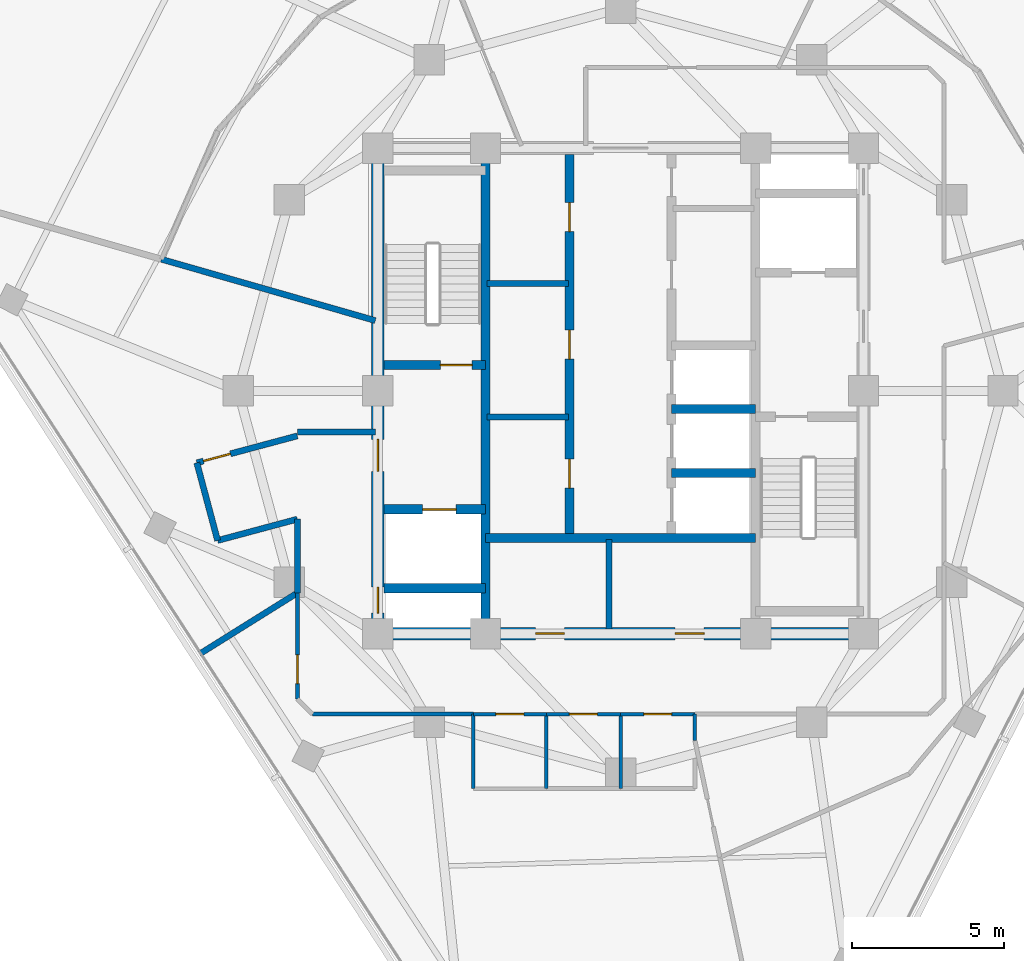
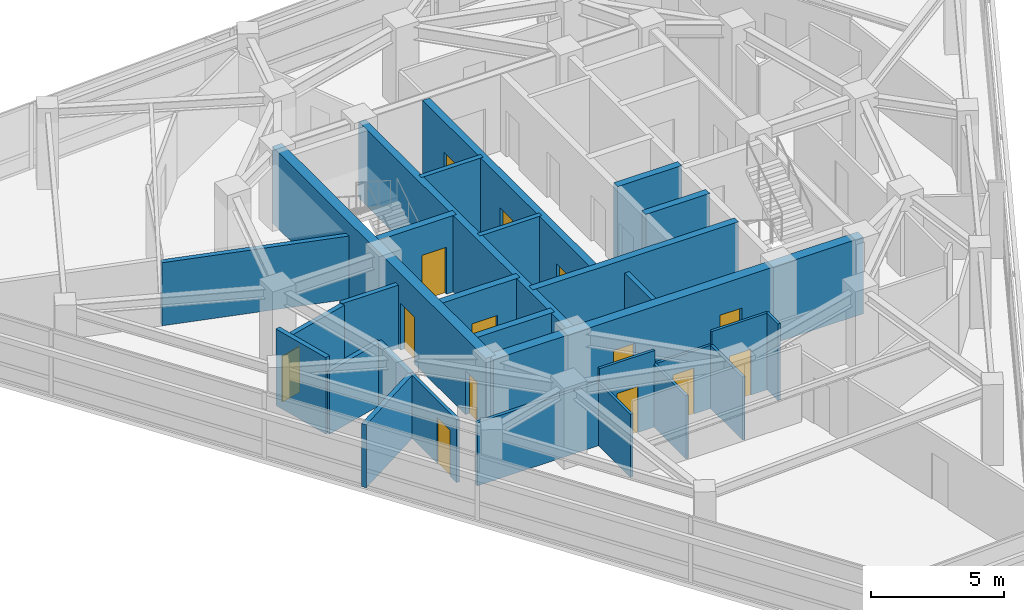
# One storey, part 8 of 15: 29 walls, 14 doors, 14 openings.
"""IFC4 building model written with IfcOpenShell, lengths in metres."""

from ifc_helpers import new_model, si_unit, direction, frame, frame_2d, origin, place, context, subcontext, project, spatial, rectangle, extrude, material, layer, layer_set, type_object, element, fill, save


model = new_model("IFC4")

# Units and contexts
model_context = context("Model", 3, precision=1e-05, world=origin(), true_north=direction((0.0, 1.0)))
body_context = subcontext(model_context, "Body", "Model", "MODEL_VIEW")
ifc_project = project(units=[si_unit("LENGTHUNIT", "METRE"), si_unit("AREAUNIT", "SQUARE_METRE"), si_unit("VOLUMEUNIT", "CUBIC_METRE"), si_unit("PLANEANGLEUNIT", "RADIAN"), si_unit("MASSUNIT", "GRAM", prefix="KILO")], contexts=[model_context])

# Site, building, storey
site_placement = place(None, origin())
site = spatial("IfcSite", under=ifc_project, at=site_placement, CompositionType="ELEMENT")
building_placement = place(site_placement, origin())
building = spatial("IfcBuilding", under=site, at=building_placement, Name="Terralouvre Media Tower", CompositionType="ELEMENT")
storey_placement = place(building_placement, frame((0.0, 0.0, 259.60009765625)))
storey = spatial("IfcBuildingStorey", under=building, at=storey_placement, Name="L67", CompositionType="ELEMENT", Elevation=259.60009765625)

# Wall
ifc_material_1 = material(Name="Concrete C50/60", Category="concrete")
ifc_layer_1 = layer(ifc_material_1, 0.300048828125, Name="Core Internal Shaft Wall CW-300")
ifc_layer_set_1 = layer_set([ifc_layer_1], Name="Concrete C50/60")
wall_type_1 = type_object("IfcWallType", Name="Core Internal Shaft Wall CW-300", PredefinedType="SHEAR", material=ifc_layer_set_1)
wall_1_placement = place(storey_placement, frame((-4.449951171875, -7.7900390625, 0.0), z_axis=(0.0, 0.0, 1.0), x_axis=(0.0, 1.0, 0.0)))
element("IfcWall", 1, at=wall_1_placement, inside=storey, type_object=wall_type_1, Name="L67 Core Shaft Wall SPW", PredefinedType="SHEAR", context=body_context, shape_type="SweptSolid", body=[
    extrude(rectangle(XDim=15.580078125, YDim=0.300048828125, at=frame_2d((7.7900390625, 0.0))), origin(), (0.0, 0.0, 1.0), 3.5),
])

# Wall, opening, door
wall_2_placement = place(storey_placement, frame((-7.7900390625, 0.85009765625, 0.0), z_axis=(0.0, 0.0, 1.0), x_axis=(1.0, 0.0, 0.0)))
wall_2 = element("IfcWall", 2, at=wall_2_placement, inside=storey, type_object=wall_type_1, Name="L67 Core Shaft Wall ST1D", PredefinedType="SHEAR", context=body_context, shape_type="SweptSolid", body=[
    extrude(rectangle(XDim=3.340087890625, YDim=0.300048828125, at=frame_2d((1.669921875, 0.0))), origin(), (0.0, 0.0, 1.0), 3.5),
])
opening_1_placement = place(wall_2_placement, frame((1.85009765625, 0.0, 0.0)))
opening_1 = element("IfcOpeningElement", 3, at=opening_1_placement, cuts=wall_2, Name="Opening FD-01-105X215", PredefinedType="OPENING", context=body_context, shape_type="SweptSolid", body=[
    extrude(rectangle(XDim=1.050048828125, YDim=2.14990234375, at=frame_2d((0.52490234375, 1.074951171875))), frame((0.0, 0.159912109375, 0.0), z_axis=(0.0, -1.0, 0.0), x_axis=(1.0, 0.0, 0.0)), (0.0, 0.0, 1.0), 0.320068359375),
])
ifc_material_2 = material(Name="Galvanised steel fire-resisting leaf", Category="steel")
door_type_1 = type_object("IfcDoorType", Name="Stair and Firefighting Lobby Fire Door FD-01 (1050x2150)", OperationType="NOTDEFINED", PredefinedType="DOOR", material=ifc_material_2)
door_1_placement = place(opening_1_placement, origin())
door_1 = element("IfcDoor", 4, at=door_1_placement, inside=storey, type_object=door_type_1, Name="L67 ST-01 Exit Stair Door", OperationType="SINGLE_SWING_LEFT", OverallHeight=2.14990234375, OverallWidth=1.050048828125, PredefinedType="DOOR", context=body_context, shape_type="SweptSolid", body=[
    extrude(rectangle(XDim=1.050048828125, YDim=2.14990234375, at=frame_2d((0.52490234375, 1.074951171875))), frame((0.0, 0.02490234375, 0.0), z_axis=(0.0, -1.0, 0.0), x_axis=(1.0, 0.0, 0.0)), (0.0, 0.0, 1.0), 0.050048828125),
])
fill(opening_1, door_1)

wall_3_placement = place(storey_placement, frame((-7.7900390625, -3.89990234375, 0.0), z_axis=(0.0, 0.0, 1.0), x_axis=(1.0, 0.0, 0.0)))
wall_3 = element("IfcWall", 5, at=wall_3_placement, inside=storey, type_object=wall_type_1, Name="L67 Core Shaft Wall FF1N", PredefinedType="SHEAR", context=body_context, shape_type="SweptSolid", body=[
    extrude(rectangle(XDim=3.340087890625, YDim=0.300048828125, at=frame_2d((1.669921875, 0.0))), origin(), (0.0, 0.0, 1.0), 3.5),
])
opening_2_placement = place(wall_3_placement, frame((1.27001953125, 0.0, 0.0)))
opening_2 = element("IfcOpeningElement", 6, at=opening_2_placement, cuts=wall_3, Name="Opening LD-FF", PredefinedType="OPENING", context=body_context, shape_type="SweptSolid", body=[
    extrude(rectangle(XDim=1.10009765625, YDim=2.10009765625, at=frame_2d((0.550048828125, 1.050048828125))), frame((0.0, 0.159912109375, 0.0), z_axis=(0.0, -1.0, 0.0), x_axis=(1.0, 0.0, 0.0)), (0.0, 0.0, 1.0), 0.320068359375),
])
ifc_material_3 = material(Name="Stainless steel 316 handrail and balustrade", Category="steel")
door_type_2 = type_object("IfcDoorType", Name="Firefighting Lift Sliding Landing Door LD-FF", OperationType="SLIDING_TO_LEFT", PredefinedType="DOOR", material=ifc_material_3)
door_2_placement = place(opening_2_placement, origin())
door_2 = element("IfcDoor", 7, at=door_2_placement, inside=storey, type_object=door_type_2, Name="L67 Firefighting Lift FFL-01 Landing Door", OperationType="SLIDING_TO_LEFT", OverallHeight=2.10009765625, OverallWidth=1.10009765625, PredefinedType="DOOR", context=body_context, shape_type="SweptSolid", body=[
    extrude(rectangle(XDim=1.10009765625, YDim=2.10009765625, at=frame_2d((0.550048828125, 1.050048828125))), frame((0.0, 0.02490234375, 0.0), z_axis=(0.0, -1.0, 0.0), x_axis=(1.0, 0.0, 0.0)), (0.0, 0.0, 1.0), 0.050048828125),
])
fill(opening_2, door_2)

# Walls
wall_4_placement = place(storey_placement, frame((-7.7900390625, -6.5, 0.0), z_axis=(0.0, 0.0, 1.0), x_axis=(1.0, 0.0, 0.0)))
element("IfcWall", 8, at=wall_4_placement, inside=storey, type_object=wall_type_1, Name="L67 Core Shaft Wall FF1S", PredefinedType="SHEAR", context=body_context, shape_type="SweptSolid", body=[
    extrude(rectangle(XDim=3.340087890625, YDim=0.300048828125, at=frame_2d((1.669921875, 0.0))), origin(), (0.0, 0.0, 1.0), 3.5),
])
wall_5_placement = place(storey_placement, frame((-4.449951171875, -4.85009765625, 0.0), z_axis=(0.0, 0.0, 1.0), x_axis=(1.0, 0.0, 0.0)))
element("IfcWall", 9, at=wall_5_placement, inside=storey, type_object=wall_type_1, Name="L67 Core Shaft Wall CSBN", PredefinedType="SHEAR", context=body_context, shape_type="SweptSolid", body=[
    extrude(rectangle(XDim=8.89990234375, YDim=0.300048828125, at=frame_2d((4.449951171875, 0.0))), origin(), (0.0, 0.0, 1.0), 3.5),
])

# Wall, openings, doors
wall_6_placement = place(storey_placement, frame((-1.679931640625, -4.85009765625, 0.0), z_axis=(0.0, 0.0, 1.0), x_axis=(0.0, 1.0, 0.0)))
wall_6 = element("IfcWall", 10, at=wall_6_placement, inside=storey, type_object=wall_type_1, Name="L67 Core Shaft Wall LBW", PredefinedType="SHEAR", context=body_context, shape_type="SweptSolid", body=[
    extrude(rectangle(XDim=12.64013671875, YDim=0.300048828125, at=frame_2d((6.320068359375, 0.0))), origin(), (0.0, 0.0, 1.0), 3.5),
])
opening_3_placement = place(wall_6_placement, frame((1.64990234375, 0.0, 0.0)))
opening_3 = element("IfcOpeningElement", 11, at=opening_3_placement, cuts=wall_6, Name="Opening FD-02-95X210", PredefinedType="OPENING", context=body_context, shape_type="SweptSolid", body=[
    extrude(rectangle(XDim=0.949951171875, YDim=2.10009765625, at=frame_2d((0.47509765625, 1.050048828125))), frame((0.0, 0.159912109375, 0.0), z_axis=(0.0, -1.0, 0.0), x_axis=(1.0, 0.0, 0.0)), (0.0, 0.0, 1.0), 0.320068359375),
])
opening_4_placement = place(wall_6_placement, frame((5.89990234375, 0.0, 0.0)))
opening_4 = element("IfcOpeningElement", 12, at=opening_4_placement, cuts=wall_6, Name="Opening SD-02", PredefinedType="OPENING", context=body_context, shape_type="SweptSolid", body=[
    extrude(rectangle(XDim=0.949951171875, YDim=2.10009765625, at=frame_2d((0.47509765625, 1.050048828125))), frame((0.0, 0.159912109375, 0.0), z_axis=(0.0, -1.0, 0.0), x_axis=(1.0, 0.0, 0.0)), (0.0, 0.0, 1.0), 0.320068359375),
])
opening_5_placement = place(wall_6_placement, frame((10.10009765625, 0.0, 0.0)))
opening_5 = element("IfcOpeningElement", 13, at=opening_5_placement, cuts=wall_6, Name="Opening FD-02-95X210", PredefinedType="OPENING", context=body_context, shape_type="SweptSolid", body=[
    extrude(rectangle(XDim=0.949951171875, YDim=2.10009765625, at=frame_2d((0.47509765625, 1.050048828125))), frame((0.0, 0.159912109375, 0.0), z_axis=(0.0, -1.0, 0.0), x_axis=(1.0, 0.0, 0.0)), (0.0, 0.0, 1.0), 0.320068359375),
])
ifc_material_4 = material(Name="Galvanised steel fire-resisting leaf", Category="steel")
door_type_3 = type_object("IfcDoorType", Name="Core Service Sliding Fire Door SD-02", OperationType="SLIDING_TO_LEFT", PredefinedType="DOOR", material=ifc_material_4)
door_3_placement = place(opening_4_placement, origin())
door_3 = element("IfcDoor", 14, at=door_3_placement, inside=storey, type_object=door_type_3, Name="L67 Core Pantry Store Door", OperationType="SLIDING_TO_LEFT", OverallHeight=2.10009765625, OverallWidth=0.949951171875, PredefinedType="DOOR", context=body_context, shape_type="SweptSolid", body=[
    extrude(rectangle(XDim=0.949951171875, YDim=2.10009765625, at=frame_2d((0.47509765625, 1.050048828125))), frame((0.0, 0.02490234375, 0.0), z_axis=(0.0, -1.0, 0.0), x_axis=(1.0, 0.0, 0.0)), (0.0, 0.0, 1.0), 0.050048828125),
])
fill(opening_4, door_3)
ifc_material_5 = material(Name="Galvanised steel fire-resisting leaf", Category="steel")
door_type_4 = type_object("IfcDoorType", Name="Plant and Riser Fire Door FD-02 (950x2100)", OperationType="NOTDEFINED", PredefinedType="DOOR", material=ifc_material_5)
door_4_placement = place(opening_3_placement, origin())
door_4 = element("IfcDoor", 15, at=door_4_placement, inside=storey, type_object=door_type_4, Name="L67 Core UPS Switch Plant Door", OperationType="SINGLE_SWING_LEFT", OverallHeight=2.10009765625, OverallWidth=0.949951171875, PredefinedType="DOOR", context=body_context, shape_type="SweptSolid", body=[
    extrude(rectangle(XDim=0.949951171875, YDim=2.10009765625, at=frame_2d((0.47509765625, 1.050048828125))), frame((0.0, 0.02490234375, 0.0), z_axis=(0.0, -1.0, 0.0), x_axis=(1.0, 0.0, 0.0)), (0.0, 0.0, 1.0), 0.050048828125),
])
fill(opening_3, door_4)
door_5_placement = place(opening_5_placement, origin())
door_5 = element("IfcDoor", 16, at=door_5_placement, inside=storey, type_object=door_type_4, Name="L67 Core Edge Server Plant Door", OperationType="SINGLE_SWING_RIGHT", OverallHeight=2.10009765625, OverallWidth=0.949951171875, PredefinedType="DOOR", context=body_context, shape_type="SweptSolid", body=[
    extrude(rectangle(XDim=0.949951171875, YDim=2.10009765625, at=frame_2d((0.47509765625, 1.050048828125))), frame((0.0, 0.02490234375, 0.0), z_axis=(0.0, -1.0, 0.0), x_axis=(1.0, 0.0, 0.0)), (0.0, 0.0, 1.0), 0.050048828125),
])
fill(opening_5, door_5)

# Walls
for number, where, z_axis, x_axis, name in (
    (17, (1.679931640625, -2.699951171875, 0.0), (0.0, 0.0, 1.0), (1.0, 0.0, 0.0), "L67 Core Shaft Wall PLHD1"),
    (18, (1.679931640625, -0.60009765625, 0.0), (0.0, 0.0, 1.0), (1.0, 0.0, 0.0), "L67 Core Shaft Wall PLHD2"),
):
    element("IfcWall", number, at=place(storey_placement, frame(where, z_axis=z_axis, x_axis=x_axis)), inside=storey, type_object=wall_type_1, Name=name, PredefinedType="SHEAR", context=body_context, shape_type="SweptSolid", body=[
        extrude(rectangle(XDim=2.77001953125, YDim=0.300048828125, at=frame_2d((1.385009765625, 0.0))), origin(), (0.0, 0.0, 1.0), 3.5),
    ])

# Wall, openings, doors
ifc_material_6 = material(Name="Concrete C60/75", Category="concrete")
ifc_layer_2 = layer(ifc_material_6, 0.419921875, Name="Core Reinforced Concrete Shear Wall CW-420")
ifc_layer_set_2 = layer_set([ifc_layer_2], Name="Concrete C60/75")
wall_type_2 = type_object("IfcWallType", Name="Core Reinforced Concrete Shear Wall CW-420", PredefinedType="SHEAR", material=ifc_layer_set_2)
wall_7_placement = place(storey_placement, frame((-8.0, -8.0, 0.0), z_axis=(0.0, 0.0, 1.0), x_axis=(0.0, 1.0, 0.0)))
wall_7 = element("IfcWall", 19, at=wall_7_placement, inside=storey, type_object=wall_type_2, Name="L67 W Core Shear Wall", PredefinedType="SHEAR", context=body_context, shape_type="SweptSolid", body=[
    extrude(rectangle(XDim=16.0, YDim=0.419921875, at=frame_2d((8.0, 0.0))), origin(), (0.0, 0.0, 1.0), 3.5),
])
opening_6_placement = place(wall_7_placement, frame((0.68115234375, 0.0, 0.0)))
opening_6 = element("IfcOpeningElement", 20, at=opening_6_placement, cuts=wall_7, Name="Opening TD-R1", PredefinedType="OPENING", context=body_context, shape_type="SweptSolid", body=[
    extrude(rectangle(XDim=0.85009765625, YDim=2.02001953125, at=frame_2d((0.425048828125, 1.010009765625))), frame((0.0, 0.219970703125, 0.0), z_axis=(0.0, -1.0, 0.0), x_axis=(1.0, 0.0, 0.0)), (0.0, 0.0, 1.0), 0.43994140625),
])
opening_7_placement = place(wall_7_placement, frame((5.35009765625, 0.0, 0.0)))
opening_7 = element("IfcOpeningElement", 21, at=opening_7_placement, cuts=wall_7, Name="Opening FD-01-105X215", PredefinedType="OPENING", context=body_context, shape_type="SweptSolid", body=[
    extrude(rectangle(XDim=1.050048828125, YDim=2.14990234375, at=frame_2d((0.52490234375, 1.074951171875))), frame((0.0, 0.219970703125, 0.0), z_axis=(0.0, -1.0, 0.0), x_axis=(1.0, 0.0, 0.0)), (0.0, 0.0, 1.0), 0.43994140625),
])
ifc_material_7 = material(Name="Galvanised steel fire-resisting leaf", Category="steel")
door_type_5 = type_object("IfcDoorType", Name="Riser Inspection Access Trapdoor TD-R1", OperationType="NOTDEFINED", PredefinedType="TRAPDOOR", material=ifc_material_7)
door_6_placement = place(opening_6_placement, origin())
door_6 = element("IfcDoor", 22, at=door_6_placement, inside=storey, type_object=door_type_5, Name="L67 Wet Riser Access Trapdoor", OperationType="SINGLE_SWING_LEFT", OverallHeight=2.02001953125, OverallWidth=0.85009765625, PredefinedType="TRAPDOOR", context=body_context, shape_type="SweptSolid", body=[
    extrude(rectangle(XDim=0.85009765625, YDim=2.02001953125, at=frame_2d((0.425048828125, 1.010009765625))), frame((0.0, 0.02490234375, 0.0), z_axis=(0.0, -1.0, 0.0), x_axis=(1.0, 0.0, 0.0)), (0.0, 0.0, 1.0), 0.050048828125),
])
fill(opening_6, door_6)
door_7_placement = place(opening_7_placement, origin())
door_7 = element("IfcDoor", 23, at=door_7_placement, inside=storey, type_object=door_type_1, Name="L67 West Firefighting Lobby Entry Door", OperationType="SINGLE_SWING_RIGHT", OverallHeight=2.14990234375, OverallWidth=1.050048828125, PredefinedType="DOOR", context=body_context, shape_type="SweptSolid", body=[
    extrude(rectangle(XDim=1.050048828125, YDim=2.14990234375, at=frame_2d((0.52490234375, 1.074951171875))), frame((0.0, 0.02490234375, 0.0), z_axis=(0.0, -1.0, 0.0), x_axis=(1.0, 0.0, 0.0)), (0.0, 0.0, 1.0), 0.050048828125),
])
fill(opening_7, door_7)

wall_8_placement = place(storey_placement, frame((-8.0, -8.0, 0.0), z_axis=(0.0, 0.0, 1.0), x_axis=(1.0, 0.0, 0.0)))
wall_8 = element("IfcWall", 24, at=wall_8_placement, inside=storey, type_object=wall_type_2, Name="L67 S Core Shear Wall", PredefinedType="SHEAR", context=body_context, shape_type="SweptSolid", body=[
    extrude(rectangle(XDim=16.0, YDim=0.419921875, at=frame_2d((8.0, 0.0))), origin(), (0.0, 0.0, 1.0), 3.5),
])
opening_8_placement = place(wall_8_placement, frame((5.199951171875, 0.0, 0.0)))
opening_8 = element("IfcOpeningElement", 25, at=opening_8_placement, cuts=wall_8, Name="Opening FD-02-95X210", PredefinedType="OPENING", context=body_context, shape_type="SweptSolid", body=[
    extrude(rectangle(XDim=0.949951171875, YDim=2.10009765625, at=frame_2d((0.47509765625, 1.050048828125))), frame((0.0, 0.219970703125, 0.0), z_axis=(0.0, -1.0, 0.0), x_axis=(1.0, 0.0, 0.0)), (0.0, 0.0, 1.0), 0.43994140625),
])
opening_9_placement = place(wall_8_placement, frame((9.800048828125, 0.0, 0.0)))
opening_9 = element("IfcOpeningElement", 26, at=opening_9_placement, cuts=wall_8, Name="Opening FD-02-95X210", PredefinedType="OPENING", context=body_context, shape_type="SweptSolid", body=[
    extrude(rectangle(XDim=0.949951171875, YDim=2.10009765625, at=frame_2d((0.47509765625, 1.050048828125))), frame((0.0, 0.219970703125, 0.0), z_axis=(0.0, -1.0, 0.0), x_axis=(1.0, 0.0, 0.0)), (0.0, 0.0, 1.0), 0.43994140625),
])
door_8_placement = place(opening_8_placement, origin())
door_8 = element("IfcDoor", 27, at=door_8_placement, inside=storey, type_object=door_type_4, Name="L67 Core Valve Plant Door", OperationType="SINGLE_SWING_LEFT", OverallHeight=2.10009765625, OverallWidth=0.949951171875, PredefinedType="DOOR", context=body_context, shape_type="SweptSolid", body=[
    extrude(rectangle(XDim=0.949951171875, YDim=2.10009765625, at=frame_2d((0.47509765625, 1.050048828125))), frame((0.0, 0.02490234375, 0.0), z_axis=(0.0, -1.0, 0.0), x_axis=(1.0, 0.0, 0.0)), (0.0, 0.0, 1.0), 0.050048828125),
])
fill(opening_8, door_8)
door_9_placement = place(opening_9_placement, origin())
door_9 = element("IfcDoor", 28, at=door_9_placement, inside=storey, type_object=door_type_4, Name="L67 Core MDF Plant Door", OperationType="SINGLE_SWING_RIGHT", OverallHeight=2.10009765625, OverallWidth=0.949951171875, PredefinedType="DOOR", context=body_context, shape_type="SweptSolid", body=[
    extrude(rectangle(XDim=0.949951171875, YDim=2.10009765625, at=frame_2d((0.47509765625, 1.050048828125))), frame((0.0, 0.02490234375, 0.0), z_axis=(0.0, -1.0, 0.0), x_axis=(1.0, 0.0, 0.0)), (0.0, 0.0, 1.0), 0.050048828125),
])
fill(opening_9, door_9)

# Walls
ifc_material_8 = material(Name="Fire-rated gypsum board drywall partition")
ifc_layer_3 = layer(ifc_material_8, 0.199951171875, Name="Fire-Rated Shaft and Lobby Partition FW-200")
ifc_layer_set_3 = layer_set([ifc_layer_3], Name="Fire-rated gypsum board drywall partition")
wall_type_3 = type_object("IfcWallType", Name="Fire-Rated Shaft and Lobby Partition FW-200", PredefinedType="SOLIDWALL", material=ifc_layer_set_3)
wall_9_placement = place(storey_placement, frame((-0.3798828125, -7.85009765625, 0.0), z_axis=(0.0, 0.0, 1.0), x_axis=(0.0, 1.0, 0.0)))
element("IfcWall", 29, at=wall_9_placement, inside=storey, type_object=wall_type_3, Name="L67 Core Service Bay Partition 1", PredefinedType="SOLIDWALL", context=body_context, shape_type="SweptSolid", body=[
    extrude(rectangle(XDim=2.9501953125, YDim=0.199951171875, at=frame_2d((1.47509765625, 0.0))), origin(), (0.0, 0.0, 1.0), 2.885009765625),
])
for number, where, z_axis, x_axis, name in (
    (30, (-4.39990234375, -0.860107421875, 0.0), (0.0, 0.0, 1.0), (1.0, 0.0, 0.0), "L67 Core West Sub-Partition 1"),
    (31, (-4.39990234375, 3.5400390625, 0.0), (0.0, 0.0, 1.0), (1.0, 0.0, 0.0), "L67 Core West Sub-Partition 2"),
):
    element("IfcWall", number, at=place(storey_placement, frame(where, z_axis=z_axis, x_axis=x_axis)), inside=storey, type_object=wall_type_3, Name=name, PredefinedType="SOLIDWALL", context=body_context, shape_type="SweptSolid", body=[
        extrude(rectangle(XDim=2.679931640625, YDim=0.199951171875, at=frame_2d((1.33984375, 0.0))), origin(), (0.0, 0.0, 1.0), 3.5),
    ])
wall_10_placement = place(storey_placement, frame((-8.080078125, -1.35009765625, 0.0), z_axis=(0.0, 0.0, 1.0), x_axis=(-1.0, 0.0, 0.0)))
element("IfcWall", 32, at=wall_10_placement, inside=storey, type_object=wall_type_3, Name="L67 Interior Partition 001", PredefinedType="SOLIDWALL", context=body_context, shape_type="SweptSolid", body=[
    extrude(rectangle(XDim=2.56982421875, YDim=0.199951171875, at=frame_2d((1.284912109375, 0.0))), origin(), (0.0, 0.0, 1.0), 2.885009765625),
])

# Wall, opening, door
wall_11_placement = place(storey_placement, frame((-10.64990234375, -1.48193359375, 0.0), z_axis=(0.0, 0.0, 1.0), x_axis=(-0.965961397105, -0.2586862565, 0.0)))
wall_11 = element("IfcWall", 33, at=wall_11_placement, inside=storey, type_object=wall_type_3, Name="L67 Interior Partition 002", PredefinedType="SOLIDWALL", context=body_context, shape_type="SweptSolid", body=[
    extrude(rectangle(XDim=3.4287109375, YDim=0.199951171875, at=frame_2d((1.71435546875, 0.0))), origin(), (0.0, 0.0, 1.0), 2.885009765625),
])
opening_10_placement = place(wall_11_placement, frame((2.282958984375, 0.0, 0.0)))
opening_10 = element("IfcOpeningElement", 34, at=opening_10_placement, cuts=wall_11, Name="Opening FD-05-92X210", PredefinedType="OPENING", context=body_context, shape_type="SweptSolid", body=[
    extrude(rectangle(XDim=0.919921875, YDim=2.10009765625, at=frame_2d((0.4599609375, 1.050048828125))), frame((0.0, 0.10986328125, 0.0), z_axis=(0.0, -1.0, 0.0), x_axis=(1.0, 0.0, 0.0)), (0.0, 0.0, 1.0), 0.219970703125),
])
ifc_material_9 = material(Name="Galvanised steel fire-resisting leaf", Category="steel")
door_type_6 = type_object("IfcDoorType", Name="Core Accessible Closet Fire Door FD-05 (920x2100)", OperationType="NOTDEFINED", PredefinedType="DOOR", material=ifc_material_9)
door_10_placement = place(opening_10_placement, origin())
door_10 = element("IfcDoor", 35, at=door_10_placement, inside=storey, type_object=door_type_6, Name="L67 IDF Comms Server Room 1 Door", OperationType="SINGLE_SWING_RIGHT", OverallHeight=2.10009765625, OverallWidth=0.919921875, PredefinedType="DOOR", context=body_context, shape_type="SweptSolid", body=[
    extrude(rectangle(XDim=0.919921875, YDim=2.10009765625, at=frame_2d((0.4599609375, 1.050048828125))), frame((0.0, 0.02490234375, 0.0), z_axis=(0.0, -1.0, 0.0), x_axis=(1.0, 0.0, 0.0)), (0.0, 0.0, 1.0), 0.050048828125),
])
fill(opening_10, door_10)

# Walls
wall_12_placement = place(storey_placement, frame((-13.9619140625, -2.368896484375, 0.0), z_axis=(0.0, 0.0, 1.0), x_axis=(0.258413725385, -0.966034340245, 0.0)))
element("IfcWall", 36, at=wall_12_placement, inside=storey, type_object=wall_type_3, Name="L67 Interior Partition 003", PredefinedType="SOLIDWALL", context=body_context, shape_type="SweptSolid", body=[
    extrude(rectangle(XDim=2.650146484375, YDim=0.199951171875, at=frame_2d((1.3251953125, 0.0))), origin(), (0.0, 0.0, 1.0), 3.5),
])
wall_13_placement = place(storey_placement, frame((-13.277099609375, -4.928955078125, 0.0), z_axis=(0.0, 0.0, 1.0), x_axis=(0.965934830229, 0.258785439601, 0.0)))
element("IfcWall", 37, at=wall_13_placement, inside=storey, type_object=wall_type_3, Name="L67 Interior Partition 004", PredefinedType="SOLIDWALL", context=body_context, shape_type="SweptSolid", body=[
    extrude(rectangle(XDim=2.719970703125, YDim=0.199951171875, at=frame_2d((1.35986328125, 0.0))), origin(), (0.0, 0.0, 1.0), 2.885009765625),
])
wall_14_placement = place(storey_placement, frame((-10.64990234375, -4.22509765625, 0.0), z_axis=(0.0, 0.0, 1.0), x_axis=(0.0, -1.0, 0.0)))
element("IfcWall", 38, at=wall_14_placement, inside=storey, type_object=wall_type_3, Name="L67 Interior Partition 005", PredefinedType="SOLIDWALL", context=body_context, shape_type="SweptSolid", body=[
    extrude(rectangle(XDim=2.429931640625, YDim=0.199951171875, at=frame_2d((1.21484375, 0.0))), origin(), (0.0, 0.0, 1.0), 2.885009765625),
])
wall_15_placement = place(storey_placement, frame((-13.869873046875, -8.6669921875, 0.0), z_axis=(0.0, 0.0, 1.0), x_axis=(0.848059708933, 0.529900679454, 0.0)))
element("IfcWall", 39, at=wall_15_placement, inside=storey, type_object=wall_type_3, Name="L67 Interior Partition 024", PredefinedType="SOLIDWALL", context=body_context, shape_type="SweptSolid", body=[
    extrude(rectangle(XDim=3.796875, YDim=0.199951171875, at=frame_2d((1.8984375, 0.0))), origin(), (0.0, 0.0, 1.0), 2.885009765625),
])
wall_16_placement = place(storey_placement, frame((-8.080078125, 2.316650390625, 0.0), z_axis=(0.0, 0.0, 1.0), x_axis=(-0.961260926499, 0.275640039155, 0.0)))
element("IfcWall", 40, at=wall_16_placement, inside=storey, type_object=wall_type_3, Name="L67 Interior Partition 025", PredefinedType="SOLIDWALL", context=body_context, shape_type="SweptSolid", body=[
    extrude(rectangle(XDim=7.3330078125, YDim=0.199951171875, at=frame_2d((3.66650390625, 0.0))), origin(), (0.0, 0.0, 1.0), 2.885009765625),
])

# Wall, opening, door
ifc_material_10 = material(Name="Fire-rated gypsum board drywall partition")
ifc_layer_4 = layer(ifc_material_10, 0.135009765625, Name="Newsroom Acoustic Partition PT-135")
ifc_layer_set_4 = layer_set([ifc_layer_4], Name="Fire-rated gypsum board drywall partition")
wall_type_4 = type_object("IfcWallType", Name="Newsroom Acoustic Partition PT-135", PredefinedType="PARTITIONING", material=ifc_layer_set_4)
wall_17_placement = place(storey_placement, frame((-10.64990234375, -6.655029296875, 0.0), z_axis=(0.0, 0.0, 1.0), x_axis=(0.0, -1.0, 0.0)))
wall_17 = element("IfcWall", 41, at=wall_17_placement, inside=storey, type_object=wall_type_4, Name="L67 Interior Partition 014", PredefinedType="PARTITIONING", context=body_context, shape_type="SweptSolid", body=[
    extrude(rectangle(XDim=3.494873046875, YDim=0.135009765625, at=frame_2d((1.74755859375, 0.0))), origin(), (0.0, 0.0, 1.0), 2.885009765625),
])
opening_11_placement = place(wall_17_placement, frame((2.04150390625, 0.0, 0.0)))
opening_11 = element("IfcOpeningElement", 42, at=opening_11_placement, cuts=wall_17, Name="Opening ID-02-95X210", PredefinedType="OPENING", context=body_context, shape_type="SweptSolid", body=[
    extrude(rectangle(XDim=0.949951171875, YDim=2.10009765625, at=frame_2d((0.47509765625, 1.050048828125))), frame((0.0, 0.077392578125, 0.0), z_axis=(0.0, -1.0, 0.0), x_axis=(1.0, 0.0, 0.0)), (0.0, 0.0, 1.0), 0.155029296875),
])
ifc_material_11 = material(Name="Engineered hardwood acoustic timber leaf", Category="wood")
door_type_7 = type_object("IfcDoorType", Name="Office and Meeting Room Door ID-02 (950x2100)", OperationType="NOTDEFINED", PredefinedType="DOOR", material=ifc_material_11)
door_11_placement = place(opening_11_placement, origin())
door_11 = element("IfcDoor", 43, at=door_11_placement, inside=storey, type_object=door_type_7, Name="L67 Graphics Desk Office 3 Door", OperationType="SINGLE_SWING_LEFT", OverallHeight=2.10009765625, OverallWidth=0.949951171875, PredefinedType="DOOR", context=body_context, shape_type="SweptSolid", body=[
    extrude(rectangle(XDim=0.949951171875, YDim=2.10009765625, at=frame_2d((0.47509765625, 1.050048828125))), frame((0.0, 0.02490234375, 0.0), z_axis=(0.0, -1.0, 0.0), x_axis=(1.0, 0.0, 0.0)), (0.0, 0.0, 1.0), 0.050048828125),
])
fill(opening_11, door_11)

# Wall
wall_18_placement = place(storey_placement, frame((-10.14990234375, -10.64990234375, 0.0), z_axis=(0.0, 0.0, 1.0), x_axis=(1.0, 0.0, 0.0)))
element("IfcWall", 44, at=wall_18_placement, inside=storey, type_object=wall_type_4, Name="L67 Interior Partition 016", PredefinedType="PARTITIONING", context=body_context, shape_type="SweptSolid", body=[
    extrude(rectangle(XDim=5.2998046875, YDim=0.135009765625, at=frame_2d((2.64990234375, 0.0))), origin(), (0.0, 0.0, 1.0), 2.885009765625),
])

# Wall, opening, door
ifc_material_12 = material(Name="Fire-rated gypsum board drywall partition")
ifc_layer_5 = layer(ifc_material_12, 0.114990234375, Name="Restroom and Pantry Partition PT-115")
ifc_layer_set_5 = layer_set([ifc_layer_5], Name="Fire-rated gypsum board drywall partition")
wall_type_5 = type_object("IfcWallType", Name="Restroom and Pantry Partition PT-115", PredefinedType="PARTITIONING", material=ifc_layer_set_5)
wall_19_placement = place(storey_placement, frame((-4.85009765625, -10.64990234375, 0.0), z_axis=(0.0, 0.0, 1.0), x_axis=(1.0, 0.0, 0.0)))
wall_19 = element("IfcWall", 45, at=wall_19_placement, inside=storey, type_object=wall_type_5, Name="L67 Interior Partition 013", PredefinedType="PARTITIONING", context=body_context, shape_type="SweptSolid", body=[
    extrude(rectangle(XDim=2.400146484375, YDim=0.114990234375, at=frame_2d((1.2001953125, 0.0))), origin(), (0.0, 0.0, 1.0), 3.5),
])
opening_12_placement = place(wall_19_placement, frame((0.739990234375, 0.0, 0.0)))
opening_12 = element("IfcOpeningElement", 46, at=opening_12_placement, cuts=wall_19, Name="Opening ID-03-92X210", PredefinedType="OPENING", context=body_context, shape_type="SweptSolid", body=[
    extrude(rectangle(XDim=0.919921875, YDim=2.10009765625, at=frame_2d((0.4599609375, 1.050048828125))), frame((0.0, 0.0673828125, 0.0), z_axis=(0.0, -1.0, 0.0), x_axis=(1.0, 0.0, 0.0)), (0.0, 0.0, 1.0), 0.135009765625),
])
ifc_material_13 = material(Name="Engineered hardwood acoustic timber leaf", Category="wood")
door_type_8 = type_object("IfcDoorType", Name="Accessible Restroom and Suite Door ID-03 (920x2100)", OperationType="NOTDEFINED", PredefinedType="DOOR", material=ifc_material_13)
door_12_placement = place(opening_12_placement, origin())
door_12 = element("IfcDoor", 47, at=door_12_placement, inside=storey, type_object=door_type_8, Name="L67 Male Restroom WC Door", OperationType="SINGLE_SWING_RIGHT", OverallHeight=2.10009765625, OverallWidth=0.919921875, PredefinedType="DOOR", context=body_context, shape_type="SweptSolid", body=[
    extrude(rectangle(XDim=0.919921875, YDim=2.10009765625, at=frame_2d((0.4599609375, 1.050048828125))), frame((0.0, 0.02490234375, 0.0), z_axis=(0.0, -1.0, 0.0), x_axis=(1.0, 0.0, 0.0)), (0.0, 0.0, 1.0), 0.050048828125),
])
fill(opening_12, door_12)

wall_20_placement = place(storey_placement, frame((-2.449951171875, -10.64990234375, 0.0), z_axis=(0.0, 0.0, 1.0), x_axis=(1.0, 0.0, 0.0)))
wall_20 = element("IfcWall", 48, at=wall_20_placement, inside=storey, type_object=wall_type_5, Name="L67 Interior Partition 017", PredefinedType="PARTITIONING", context=body_context, shape_type="SweptSolid", body=[
    extrude(rectangle(XDim=2.449951171875, YDim=0.114990234375, at=frame_2d((1.22509765625, 0.0))), origin(), (0.0, 0.0, 1.0), 2.885009765625),
])
opening_13_placement = place(wall_20_placement, frame((0.764892578125, 0.0, 0.0)))
opening_13 = element("IfcOpeningElement", 49, at=opening_13_placement, cuts=wall_20, Name="Opening ID-03-92X210", PredefinedType="OPENING", context=body_context, shape_type="SweptSolid", body=[
    extrude(rectangle(XDim=0.919921875, YDim=2.10009765625, at=frame_2d((0.4599609375, 1.050048828125))), frame((0.0, 0.0673828125, 0.0), z_axis=(0.0, -1.0, 0.0), x_axis=(1.0, 0.0, 0.0)), (0.0, 0.0, 1.0), 0.135009765625),
])
door_13_placement = place(opening_13_placement, origin())
door_13 = element("IfcDoor", 50, at=door_13_placement, inside=storey, type_object=door_type_8, Name="L67 Female Restroom WC Door", OperationType="SINGLE_SWING_RIGHT", OverallHeight=2.10009765625, OverallWidth=0.919921875, PredefinedType="DOOR", context=body_context, shape_type="SweptSolid", body=[
    extrude(rectangle(XDim=0.919921875, YDim=2.10009765625, at=frame_2d((0.4599609375, 1.050048828125))), frame((0.0, 0.02490234375, 0.0), z_axis=(0.0, -1.0, 0.0), x_axis=(1.0, 0.0, 0.0)), (0.0, 0.0, 1.0), 0.050048828125),
])
fill(opening_13, door_13)

wall_21_placement = place(storey_placement, frame((0.0, -10.64990234375, 0.0), z_axis=(0.0, 0.0, 1.0), x_axis=(1.0, 0.0, 0.0)))
wall_21 = element("IfcWall", 51, at=wall_21_placement, inside=storey, type_object=wall_type_5, Name="L67 Interior Partition 018", PredefinedType="PARTITIONING", context=body_context, shape_type="SweptSolid", body=[
    extrude(rectangle(XDim=2.449951171875, YDim=0.114990234375, at=frame_2d((1.22509765625, 0.0))), origin(), (0.0, 0.0, 1.0), 3.5),
])
opening_14_placement = place(wall_21_placement, frame((0.764892578125, 0.0, 0.0)))
opening_14 = element("IfcOpeningElement", 52, at=opening_14_placement, cuts=wall_21, Name="Opening ID-03-92X210", PredefinedType="OPENING", context=body_context, shape_type="SweptSolid", body=[
    extrude(rectangle(XDim=0.919921875, YDim=2.10009765625, at=frame_2d((0.4599609375, 1.050048828125))), frame((0.0, 0.0673828125, 0.0), z_axis=(0.0, -1.0, 0.0), x_axis=(1.0, 0.0, 0.0)), (0.0, 0.0, 1.0), 0.135009765625),
])
door_14_placement = place(opening_14_placement, origin())
door_14 = element("IfcDoor", 53, at=door_14_placement, inside=storey, type_object=door_type_8, Name="L67 Accessible Unisex WC Door", OperationType="SINGLE_SWING_LEFT", OverallHeight=2.10009765625, OverallWidth=0.919921875, PredefinedType="DOOR", context=body_context, shape_type="SweptSolid", body=[
    extrude(rectangle(XDim=0.919921875, YDim=2.10009765625, at=frame_2d((0.4599609375, 1.050048828125))), frame((0.0, 0.02490234375, 0.0), z_axis=(0.0, -1.0, 0.0), x_axis=(1.0, 0.0, 0.0)), (0.0, 0.0, 1.0), 0.050048828125),
])
fill(opening_14, door_14)

# Walls
for number, where, z_axis, x_axis, name in (
    (54, (-4.85009765625, -10.64990234375, 0.0), (0.0, 0.0, 1.0), (0.0, -1.0, 0.0), "L67 Interior Partition 033"),
    (55, (-2.449951171875, -13.10009765625, 0.0), (0.0, 0.0, 1.0), (0.0, 1.0, 0.0), "L67 Interior Partition 035"),
    (56, (0.0, -13.10009765625, 0.0), (0.0, 0.0, 1.0), (0.0, 1.0, 0.0), "L67 Interior Partition 041"),
):
    element("IfcWall", number, at=place(storey_placement, frame(where, z_axis=z_axis, x_axis=x_axis)), inside=storey, type_object=wall_type_5, Name=name, PredefinedType="PARTITIONING", context=body_context, shape_type="SweptSolid", body=[
        extrude(rectangle(XDim=2.4501953125, YDim=0.114990234375, at=frame_2d((1.22509765625, 0.0))), origin(), (0.0, 0.0, 1.0), 2.885009765625),
    ])
wall_22_placement = place(storey_placement, frame((2.449951171875, -11.52587890625, 0.0), z_axis=(0.0, 0.0, 1.0), x_axis=(0.0, 1.0, 0.0)))
element("IfcWall", 57, at=wall_22_placement, inside=storey, type_object=wall_type_5, Name="L67 Interior Partition 042", PredefinedType="PARTITIONING", context=body_context, shape_type="SweptSolid", body=[
    extrude(rectangle(XDim=0.8759765625, YDim=0.114990234375, at=frame_2d((0.43798828125, 0.0))), origin(), (0.0, 0.0, 1.0), 3.5),
])

save(model, "model.ifc")
